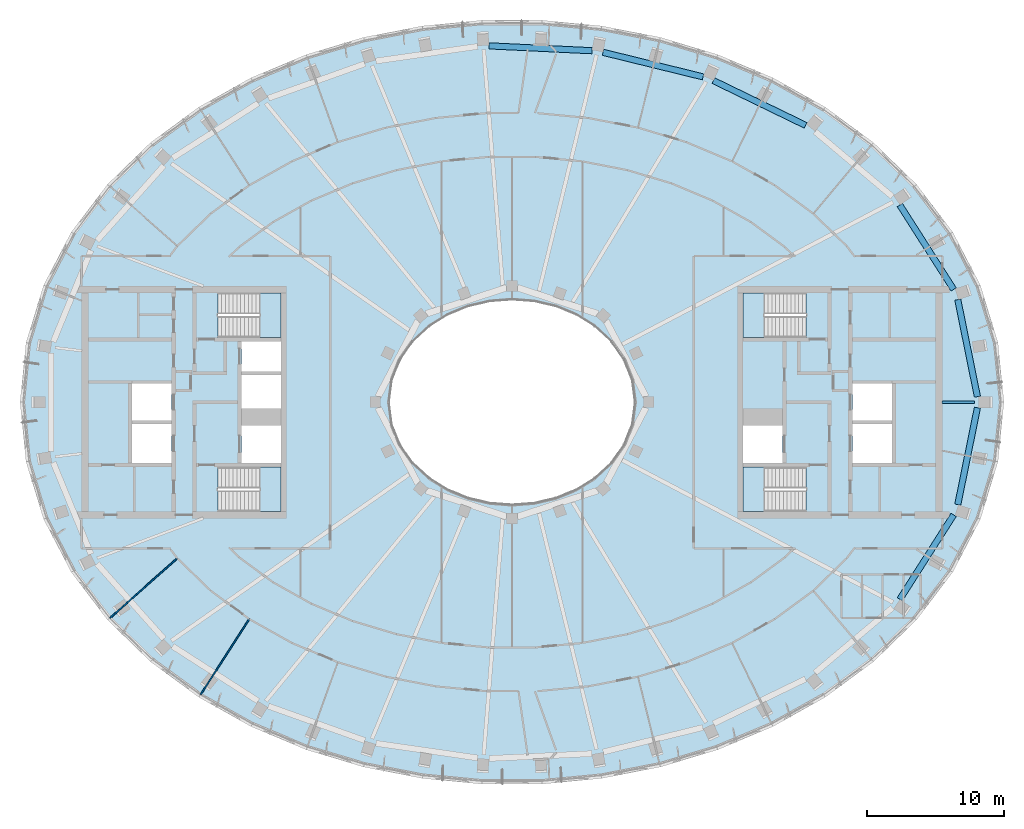
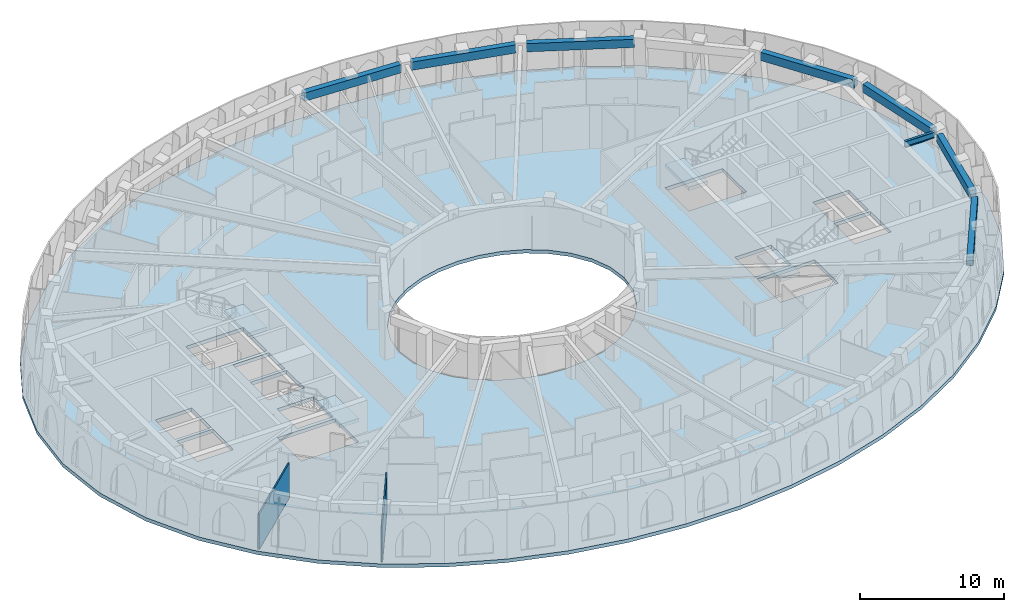
# One storey, part 2 of 15: 8 beams, 5 slabs, 2 walls, 4 elements without a shape of their own.
"""IFC4 building model written with IfcOpenShell, lengths in metres."""

from ifc_helpers import new_model, si_unit, direction, frame, frame_2d, origin, origin_2d, place, context, subcontext, project, spatial, polyline, rectangle, i_section, outline, extrude, material, layer, layer_set, material_profile, profile_set, type_object, element, aggregate, save


model = new_model("IFC4")

# Units and contexts
model_context = context("Model", 3, precision=1e-05, world=origin(), true_north=direction((0.0, 1.0)))
body_context = subcontext(model_context, "Body", "Model", "MODEL_VIEW")
ifc_project = project(units=[si_unit("LENGTHUNIT", "METRE"), si_unit("AREAUNIT", "SQUARE_METRE"), si_unit("VOLUMEUNIT", "CUBIC_METRE"), si_unit("PLANEANGLEUNIT", "RADIAN"), si_unit("MASSUNIT", "GRAM", prefix="KILO")], contexts=[model_context])

# Site, building, storey
site_placement = place(None, origin())
site = spatial("IfcSite", under=ifc_project, at=site_placement, CompositionType="ELEMENT")
building_placement = place(site_placement, origin())
building = spatial("IfcBuilding", under=site, at=building_placement, Name="Noorbagh Ring Tower", CompositionType="ELEMENT")
storey_placement = place(building_placement, frame((0.0, 0.0, 331.0)))
storey = spatial("IfcBuildingStorey", under=building, at=storey_placement, Name="L72", CompositionType="ELEMENT", Elevation=331.0)

# Beams
ifc_material_1 = material(Name="Steel S355", Category="steel")
ifc_material_profile_1 = material_profile(ifc_material_1, i_section(OverallWidth=0.199951171875, OverallDepth=0.5, WebThickness=0.01025390625, FlangeThickness=0.01611328125, FilletRadius=0.02099609375, at=origin_2d()), Name="IPE500")
ifc_profile_set_1 = profile_set([ifc_material_profile_1], Name="Steel S355")
beam_type_1 = type_object("IfcBeamType", Name="STR-RAD-IPE500", PredefinedType="BEAM", material=ifc_profile_set_1)
beam_1_placement = place(storey_placement, frame((33.84912109375, 0.0, 3.449951171875), z_axis=(-1.0, 0.0, 0.0), x_axis=(0.0, -1.0, 0.0)))
element("IfcBeam", 1, at=beam_1_placement, inside=storey, type_object=beam_type_1, Name="L72/bm/RD01", PredefinedType="BEAM", context=body_context, shape_type="SweptSolid", body=[
    extrude(i_section(OverallWidth=0.199951171875, OverallDepth=0.5, WebThickness=0.01025390625, FlangeThickness=0.01611328125, FilletRadius=0.02099609375, at=origin_2d()), origin(), (0.0, 0.0, 1.0), 2.369140625),
])
ifc_material_2 = material(Name="Concrete C40/50", Category="concrete")
ifc_material_profile_2 = material_profile(ifc_material_2, rectangle(XDim=0.449951171875, YDim=0.699951171875, at=origin_2d()), Name="RC450x700")
ifc_profile_set_2 = profile_set([ifc_material_profile_2], Name="Concrete C40/50")
beam_type_2 = type_object("IfcBeamType", Name="STR-SB-RC450x700-C40-50", PredefinedType="BEAM", material=ifc_profile_set_2)
beam_2_placement = place(storey_placement, frame((34.054443359375, 0.405517578125, 3.35009765625), z_axis=(-0.198510416709, 0.980098777909, 0.0), x_axis=(-0.980098777909, -0.198510416709, 0.0)))
element("IfcBeam", 2, at=beam_2_placement, inside=storey, type_object=beam_type_2, Name="L72/bm/SP01", PredefinedType="BEAM", context=body_context, shape_type="SweptSolid", body=[
    extrude(rectangle(XDim=0.449951171875, YDim=0.699951171875, at=origin_2d()), origin(), (0.0, 0.0, 1.0), 7.234130859375),
])
beam_3_placement = place(storey_placement, frame((32.315185546875, 8.24755859375, 3.35009765625), z_axis=(-0.537722956958, 0.843121593579, 0.0), x_axis=(-0.843121593579, -0.537722956958, 0.0)))
element("IfcBeam", 3, at=beam_3_placement, inside=storey, type_object=beam_type_2, Name="L72/bm/SP03", PredefinedType="BEAM", context=body_context, shape_type="SweptSolid", body=[
    extrude(rectangle(XDim=0.449951171875, YDim=0.699951171875, at=origin_2d()), origin(), (0.0, 0.0, 1.0), 7.323486328125),
])
beam_4_placement = place(storey_placement, frame((21.48291015625, 20.25341796875, 3.35009765625), z_axis=(-0.899533025134, 0.436852763175, 0.0), x_axis=(-0.436852763175, -0.899533025134, 0.0)))
element("IfcBeam", 4, at=beam_4_placement, inside=storey, type_object=beam_type_2, Name="L72/bm/SP07", PredefinedType="BEAM", context=body_context, shape_type="SweptSolid", body=[
    extrude(rectangle(XDim=0.449951171875, YDim=0.699951171875, at=origin_2d()), origin(), (0.0, 0.0, 1.0), 7.49609375),
])
beam_5_placement = place(storey_placement, frame((13.977783203125, 23.80322265625, 3.35009765625), z_axis=(-0.971194579735, 0.238287826574, 0.0), x_axis=(-0.238287826574, -0.971194579735, 0.0)))
element("IfcBeam", 5, at=beam_5_placement, inside=storey, type_object=beam_type_2, Name="L72/bm/SP09", PredefinedType="BEAM", context=body_context, shape_type="SweptSolid", body=[
    extrude(rectangle(XDim=0.449951171875, YDim=0.699951171875, at=origin_2d()), origin(), (0.0, 0.0, 1.0), 7.53662109375),
])
beam_6_placement = place(storey_placement, frame((5.8564453125, 25.71533203125, 3.35009765625), z_axis=(-0.998884170095, 0.047227266836, 0.0), x_axis=(-0.047227266836, -0.998884170095, 0.0)))
element("IfcBeam", 6, at=beam_6_placement, inside=storey, type_object=beam_type_2, Name="L72/bm/SP11", PredefinedType="BEAM", context=body_context, shape_type="SweptSolid", body=[
    extrude(rectangle(XDim=0.449951171875, YDim=0.699951171875, at=origin_2d()), origin(), (0.0, 0.0, 1.0), 7.552734375),
])
beam_7_placement = place(storey_placement, frame((28.377197265625, -14.422119140625, 3.35009765625), z_axis=(0.537722956958, 0.843121593579, 0.0), x_axis=(-0.843121593579, 0.537722956958, 0.0)))
element("IfcBeam", 7, at=beam_7_placement, inside=storey, type_object=beam_type_2, Name="L72/bm/SP43", PredefinedType="BEAM", context=body_context, shape_type="SweptSolid", body=[
    extrude(rectangle(XDim=0.449951171875, YDim=0.699951171875, at=origin_2d()), origin(), (0.0, 0.0, 1.0), 7.323486328125),
])
beam_8_placement = place(storey_placement, frame((32.618408203125, -7.49560546875, 3.35009765625), z_axis=(0.198510416709, 0.980098777909, 0.0), x_axis=(-0.980098777909, 0.198510416709, 0.0)))
element("IfcBeam", 8, at=beam_8_placement, inside=storey, type_object=beam_type_2, Name="L72/bm/SP45", PredefinedType="BEAM", context=body_context, shape_type="SweptSolid", body=[
    extrude(rectangle(XDim=0.449951171875, YDim=0.699951171875, at=origin_2d()), origin(), (0.0, 0.0, 1.0), 7.234130859375),
])

# Stair, slab
ifc_material_3 = material(Name="Concrete C40/50", Category="concrete")
stair_type = type_object("IfcStairType", Name="CORE-STAIR", PredefinedType="HALF_TURN_STAIR", material=ifc_material_3)
stair_1_placement = place(storey_placement, origin())
stair_1 = element("IfcStair", 9, at=stair_1_placement, inside=storey, type_object=stair_type, Name="L72 Exit stair ST1", PredefinedType="HALF_TURN_STAIR")
ifc_material_4 = material(Name="Concrete C40/50", Category="concrete")
ifc_layer_1 = layer(ifc_material_4, 0.300048828125)
ifc_layer_set_1 = layer_set([ifc_layer_1], Name="Concrete C40/50")
slab_type_1 = type_object("IfcSlabType", Name="CORE-STAIR-LANDING", PredefinedType="LANDING", material=ifc_layer_set_1)
slab_1_placement = place(storey_placement, frame((0.0, 0.0, 1.699951171875)))
slab_1 = element("IfcSlab", 10, at=slab_1_placement, type_object=slab_type_1, Name="ST1 landing 1", PredefinedType="LANDING", context=body_context, shape_type="SweptSolid", body=[
    extrude(outline(polyline([(-18.449951171875, 4.75), (-16.89990234375, 4.75), (-16.89990234375, 8.0), (-18.449951171875, 8.0), (-18.449951171875, 4.75)])), origin(), (0.0, 0.0, 1.0), 0.300048828125),
])
aggregate(stair_1, [slab_1])

stair_2_placement = place(storey_placement, origin())
stair_2 = element("IfcStair", 11, at=stair_2_placement, inside=storey, type_object=stair_type, Name="L72 Exit stair ST2", PredefinedType="HALF_TURN_STAIR")
slab_2_placement = place(storey_placement, frame((0.0, 0.0, 1.699951171875)))
slab_2 = element("IfcSlab", 12, at=slab_2_placement, type_object=slab_type_1, Name="ST2 landing 1", PredefinedType="LANDING", context=body_context, shape_type="SweptSolid", body=[
    extrude(outline(polyline([(-18.449951171875, -8.0), (-16.89990234375, -8.0), (-16.89990234375, -4.75), (-18.449951171875, -4.75), (-18.449951171875, -8.0)])), origin(), (0.0, 0.0, 1.0), 0.300048828125),
])
aggregate(stair_2, [slab_2])

stair_3_placement = place(storey_placement, origin())
stair_3 = element("IfcStair", 13, at=stair_3_placement, inside=storey, type_object=stair_type, Name="L72 Exit stair ST3", PredefinedType="HALF_TURN_STAIR")
slab_3_placement = place(storey_placement, frame((0.0, 0.0, 1.699951171875)))
slab_3 = element("IfcSlab", 14, at=slab_3_placement, type_object=slab_type_1, Name="ST3 landing 1", PredefinedType="LANDING", context=body_context, shape_type="SweptSolid", body=[
    extrude(outline(polyline([(18.449951171875, 8.0), (16.89990234375, 8.0), (16.89990234375, 4.75), (18.449951171875, 4.75), (18.449951171875, 8.0)])), origin(), (0.0, 0.0, 1.0), 0.300048828125),
])
aggregate(stair_3, [slab_3])

stair_4_placement = place(storey_placement, origin())
stair_4 = element("IfcStair", 15, at=stair_4_placement, inside=storey, type_object=stair_type, Name="L72 Exit stair ST4", PredefinedType="HALF_TURN_STAIR")
slab_4_placement = place(storey_placement, frame((0.0, 0.0, 1.699951171875)))
slab_4 = element("IfcSlab", 16, at=slab_4_placement, type_object=slab_type_1, Name="ST4 landing 1", PredefinedType="LANDING", context=body_context, shape_type="SweptSolid", body=[
    extrude(outline(polyline([(18.449951171875, -4.75), (16.89990234375, -4.75), (16.89990234375, -8.0), (18.449951171875, -8.0), (18.449951171875, -4.75)])), origin(), (0.0, 0.0, 1.0), 0.300048828125),
])
aggregate(stair_4, [slab_4])

# Slab
ifc_material_5 = material(Name="Concrete C40/50", Category="concrete")
ifc_layer_2 = layer(ifc_material_5, 0.300048828125)
ifc_layer_set_2 = layer_set([ifc_layer_2], Name="Concrete C40/50")
slab_type_2 = type_object("IfcSlabType", Name="STR-FLOOR-DECK-300", PredefinedType="FLOOR", material=ifc_layer_set_2)
slab_5_placement = place(storey_placement, frame((0.0, 0.0, -0.300048828125)))
element("IfcSlab", 17, at=slab_5_placement, inside=storey, type_object=slab_type_2, Name="L72/slab/1", PredefinedType="FLOOR", context=body_context, shape_type="SweptSolid", body=[
    extrude(outline(polyline([(36.0, 0.0), (35.56103515625, 4.358642578125), (34.281005859375, 8.548828125), (32.255126953125, 12.434814453125), (29.607666015625, 15.92822265625), (26.463134765625, 18.983154296875), (22.9326171875, 21.583740234375), (19.108154296875, 23.730224609375), (15.0654296875, 25.430419921875), (10.865234375, 26.6943359375), (6.5595703125, 27.53125), (2.193115234375, 27.947998046875), (-2.193115234375, 27.947998046875), (-6.5595703125, 27.53125), (-10.865234375, 26.6943359375), (-15.0654296875, 25.430419921875), (-19.108154296875, 23.730224609375), (-22.9326171875, 21.583740234375), (-26.463134765625, 18.983154296875), (-29.607666015625, 15.92822265625), (-32.255126953125, 12.434814453125), (-34.281005859375, 8.548828125), (-35.56103515625, 4.358642578125), (-36.0, 0.0), (-35.56103515625, -4.358642578125), (-34.281005859375, -8.548828125), (-32.255126953125, -12.434814453125), (-29.607666015625, -15.92822265625), (-26.463134765625, -18.983154296875), (-22.9326171875, -21.583740234375), (-19.108154296875, -23.730224609375), (-15.0654296875, -25.430419921875), (-10.865234375, -26.6943359375), (-6.5595703125, -27.53125), (-2.193115234375, -27.947998046875), (2.193115234375, -27.947998046875), (6.5595703125, -27.53125), (10.865234375, -26.6943359375), (15.0654296875, -25.430419921875), (19.108154296875, -23.730224609375), (22.9326171875, -21.583740234375), (26.463134765625, -18.983154296875), (29.607666015625, -15.92822265625), (32.255126953125, -12.434814453125), (34.281005859375, -8.548828125), (35.56103515625, -4.358642578125), (36.0, 0.0)]), holes=[polyline([(24.89990234375, -1.60009765625), (27.800048828125, -1.60009765625), (27.800048828125, -4.449951171875), (24.89990234375, -4.449951171875), (24.89990234375, -1.60009765625)]), polyline([(24.89990234375, 1.35009765625), (27.800048828125, 1.35009765625), (27.800048828125, -1.35009765625), (24.89990234375, -1.35009765625), (24.89990234375, 1.35009765625)]), polyline([(21.529541015625, -8.0), (16.89990234375, -8.0), (16.89990234375, -4.75), (21.529541015625, -4.75), (21.529541015625, -8.0)]), polyline([(21.529541015625, 4.75), (16.89990234375, 4.75), (16.89990234375, 8.0), (21.529541015625, 8.0), (21.529541015625, 4.75)]), polyline([(16.89990234375, -1.699951171875), (19.800048828125, -1.699951171875), (19.800048828125, -4.449951171875), (16.89990234375, -4.449951171875), (16.89990234375, -1.699951171875)]), polyline([(4.697509765625, -6.3974609375), (3.196533203125, -7.010986328125), (1.6171875, -7.3779296875), (0.0, -7.5), (-1.6171875, -7.3779296875), (-3.196533203125, -7.010986328125), (-4.697509765625, -6.3974609375), (-6.071044921875, -5.53662109375), (-7.2587890625, -4.43408203125), (-8.1904296875, -3.10888671875), (-8.79150390625, -1.605224609375), (-9.0, 0.0), (-8.79150390625, 1.605224609375), (-8.1904296875, 3.10888671875), (-7.2587890625, 4.43408203125), (-6.071044921875, 5.53662109375), (-4.697509765625, 6.3974609375), (-3.196533203125, 7.010986328125), (-1.6171875, 7.3779296875), (0.0, 7.5), (1.6171875, 7.3779296875), (3.196533203125, 7.010986328125), (4.697509765625, 6.3974609375), (6.071044921875, 5.53662109375), (7.2587890625, 4.43408203125), (8.1904296875, 3.10888671875), (8.79150390625, 1.605224609375), (9.0, 0.0), (8.79150390625, -1.605224609375), (8.1904296875, -3.10888671875), (7.2587890625, -4.43408203125), (6.071044921875, -5.53662109375), (4.697509765625, -6.3974609375)]), polyline([(-21.529541015625, -8.0), (-21.529541015625, -4.75), (-16.89990234375, -4.75), (-16.89990234375, -8.0), (-21.529541015625, -8.0)]), polyline([(-21.529541015625, 4.75), (-21.529541015625, 8.0), (-16.89990234375, 8.0), (-16.89990234375, 4.75), (-21.529541015625, 4.75)]), polyline([(-16.89990234375, -4.449951171875), (-19.800048828125, -4.449951171875), (-19.800048828125, -1.699951171875), (-16.89990234375, -1.699951171875), (-16.89990234375, -4.449951171875)]), polyline([(-16.89990234375, -0.449951171875), (-19.800048828125, -0.449951171875), (-19.800048828125, 2.0), (-16.89990234375, 2.0), (-16.89990234375, -0.449951171875)]), polyline([(-16.89990234375, 2.25), (-19.800048828125, 2.25), (-19.800048828125, 4.449951171875), (-16.89990234375, 4.449951171875), (-16.89990234375, 2.25)]), polyline([(-24.89990234375, -4.449951171875), (-27.800048828125, -4.449951171875), (-27.800048828125, -1.60009765625), (-24.89990234375, -1.60009765625), (-24.89990234375, -4.449951171875)]), polyline([(-24.89990234375, 1.35009765625), (-24.89990234375, -1.35009765625), (-27.800048828125, -1.35009765625), (-27.800048828125, 1.35009765625), (-24.89990234375, 1.35009765625)])]), origin(), (0.0, 0.0, 1.0), 0.300048828125),
])

# Walls
ifc_material_6 = material(Name="Gypsum board on steel studs", Category="steel")
ifc_layer_3 = layer(ifc_material_6, 0.10009765625)
ifc_layer_set_3 = layer_set([ifc_layer_3], Name="Gypsum board on steel studs")
wall_type = type_object("IfcWallType", Name="PARTITION 100 GYPSUM", PredefinedType="PARTITIONING", material=ifc_layer_set_3)
wall_1_placement = place(storey_placement, frame((-29.405029296875, -15.781005859375, 0.0), z_axis=(0.0, 0.0, 1.0), x_axis=(0.74854493291, 0.663084069643, 0.0)))
element("IfcWall", 18, at=wall_1_placement, inside=storey, type_object=wall_type, Name="L72/wall/P06", PredefinedType="PARTITIONING", context=body_context, shape_type="SweptSolid", body=[
    extrude(rectangle(XDim=6.56494140625, YDim=0.10009765625, at=frame_2d((3.282470703125, 0.0))), origin(), (0.0, 0.0, 1.0), 3.0),
])
wall_2_placement = place(storey_placement, frame((-22.778076171875, -21.386962890625, 0.0), z_axis=(0.0, 0.0, 1.0), x_axis=(0.541722374397, 0.840557475178, 0.0)))
element("IfcWall", 19, at=wall_2_placement, inside=storey, type_object=wall_type, Name="L72/wall/P12", PredefinedType="PARTITIONING", context=body_context, shape_type="SweptSolid", body=[
    extrude(rectangle(XDim=6.55859375, YDim=0.10009765625, at=frame_2d((3.279296875, 0.0))), origin(), (0.0, 0.0, 1.0), 3.0),
])

save(model, "model.ifc")
